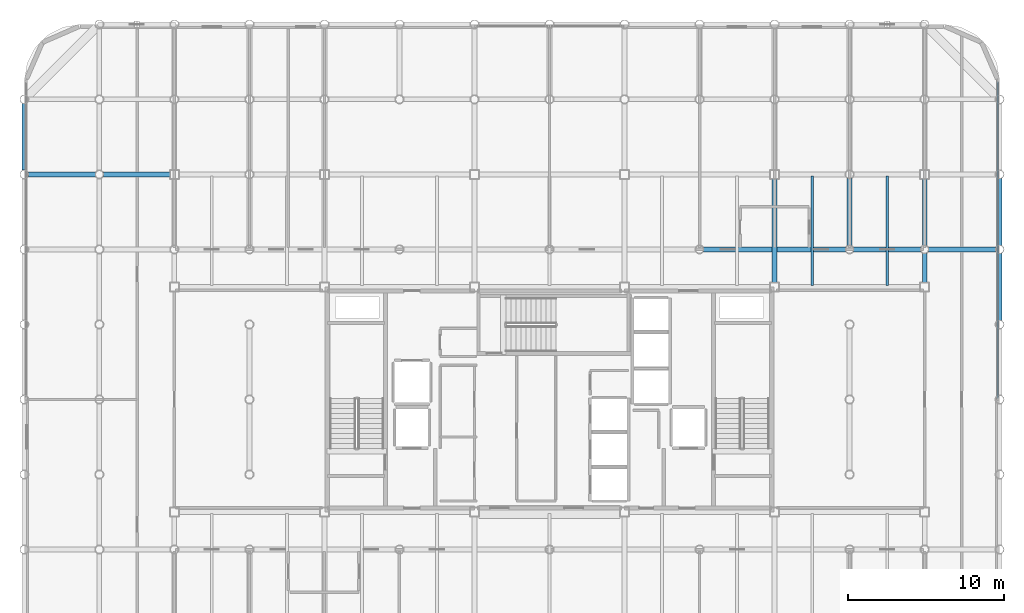
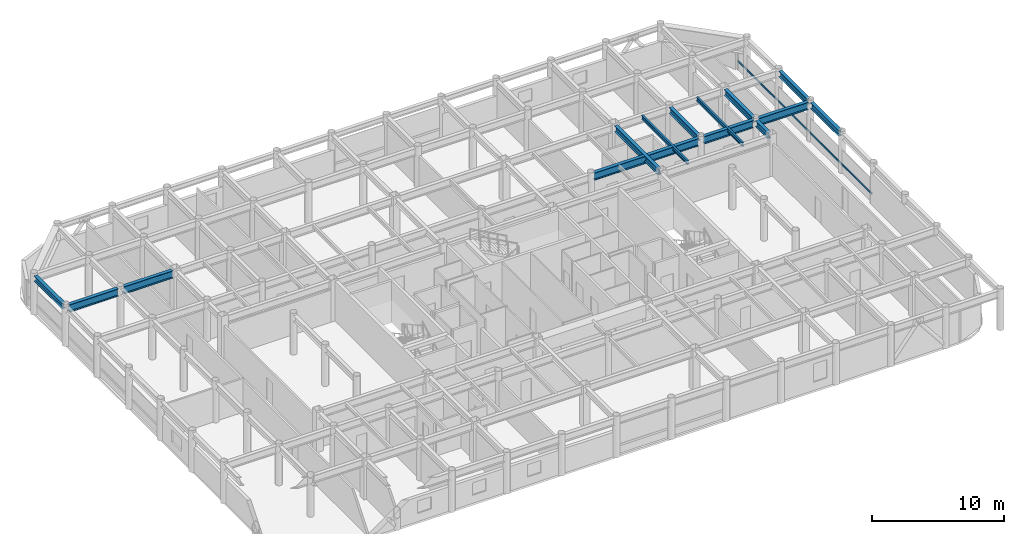
# One storey, part 11 of 22: 14 beams, 1 member, 1 element without a shape of its own.
"""IFC4 building model written with IfcOpenShell, lengths in metres."""

from ifc_helpers import new_model, si_unit, direction, frame, origin, origin_2d, place, context, subcontext, project, spatial, hollow_rectangle, i_section, extrude, material, layer, layer_set, material_profile, profile_set, type_object, element, aggregate, save


model = new_model("IFC4")

# Units and contexts
model_context = context("Model", 3, precision=1e-05, world=origin(), true_north=direction((0.0, 1.0)))
body_context = subcontext(model_context, "Body", "Model", "MODEL_VIEW")
ifc_project = project(units=[si_unit("LENGTHUNIT", "METRE"), si_unit("AREAUNIT", "SQUARE_METRE"), si_unit("VOLUMEUNIT", "CUBIC_METRE"), si_unit("PLANEANGLEUNIT", "RADIAN"), si_unit("MASSUNIT", "GRAM", prefix="KILO")], contexts=[model_context])

# Site, building, storey
site_placement = place(None, origin())
site = spatial("IfcSite", under=ifc_project, at=site_placement, CompositionType="ELEMENT")
building_placement = place(site_placement, origin())
building = spatial("IfcBuilding", under=site, at=building_placement, Name="Kallvorn Hotel Tower", CompositionType="ELEMENT")
storey_placement = place(building_placement, frame((0.0, 0.0, 260.800048828125)))
storey = spatial("IfcBuildingStorey", under=building, at=storey_placement, Name="L65", CompositionType="ELEMENT", Elevation=260.800048828125)

# Beams
ifc_material_1 = material(Name="Structural steel S355JR", Category="steel")
ifc_material_profile_1 = material_profile(ifc_material_1, i_section(OverallWidth=0.300048828125, OverallDepth=0.5, WebThickness=0.014404296875, FlangeThickness=0.028076171875, at=origin_2d()), Name="HE 500 B")
ifc_profile_set_1 = profile_set([ifc_material_profile_1], Name="Structural steel S355JR")
beam_type_1 = type_object("IfcBeamType", Name="BM_HE500B", PredefinedType="SPANDREL", material=ifc_profile_set_1)
beam_1_placement = place(storey_placement, frame((-33.60009765625, 14.66943359375, 3.419921875), z_axis=(0.0, 1.0, 0.0), x_axis=(-1.0, 0.0, 0.0)))
element("IfcBeam", 1, at=beam_1_placement, inside=storey, type_object=beam_type_1, Name="L66 Perimeter Spandrel 180", PredefinedType="SPANDREL", context=body_context, shape_type="SweptSolid", body=[
    extrude(i_section(OverallWidth=0.300048828125, OverallDepth=0.5, WebThickness=0.014404296875, FlangeThickness=0.028076171875, at=origin_2d()), origin(), (0.0, 0.0, 1.0), 4.260986328125),
])
ifc_material_2 = material(Name="Structural steel S355JR", Category="steel")
ifc_material_profile_2 = material_profile(ifc_material_2, i_section(OverallWidth=0.300048828125, OverallDepth=0.550048828125, WebThickness=0.014892578125, FlangeThickness=0.029052734375, at=origin_2d()), Name="HE 550 B")
ifc_profile_set_2 = profile_set([ifc_material_profile_2], Name="Structural steel S355JR")
beam_type_2 = type_object("IfcBeamType", Name="BM_HE550B", PredefinedType="SPANDREL", material=ifc_profile_set_2)
beam_2_placement = place(storey_placement, frame((14.39990234375, 7.47509765625, 3.39501953125), z_axis=(0.0, 1.0, 0.0), x_axis=(-1.0, 0.0, 0.0)))
element("IfcBeam", 2, at=beam_2_placement, inside=storey, type_object=beam_type_2, Name="L66 Primary Y-Girder 124", PredefinedType="SPANDREL", context=body_context, shape_type="SweptSolid", body=[
    extrude(i_section(OverallWidth=0.300048828125, OverallDepth=0.550048828125, WebThickness=0.014892578125, FlangeThickness=0.029052734375, at=origin_2d()), origin(), (0.0, 0.0, 1.0), 6.64990234375),
])
beam_3_placement = place(storey_placement, frame((19.199951171875, 9.8544921875, 3.39501953125), z_axis=(0.0, 1.0, 0.0), x_axis=(-1.0, 0.0, 0.0)))
element("IfcBeam", 3, at=beam_3_placement, inside=storey, type_object=beam_type_2, Name="L66 Primary Y-Girder 133", PredefinedType="SPANDREL", context=body_context, shape_type="SweptSolid", body=[
    extrude(i_section(OverallWidth=0.300048828125, OverallDepth=0.550048828125, WebThickness=0.014892578125, FlangeThickness=0.029052734375, at=origin_2d()), origin(), (0.0, 0.0, 1.0), 4.291015625),
])
beam_4_placement = place(storey_placement, frame((24.0, 7.47509765625, 3.39501953125), z_axis=(0.0, 1.0, 0.0), x_axis=(-1.0, 0.0, 0.0)))
element("IfcBeam", 4, at=beam_4_placement, inside=storey, type_object=beam_type_2, Name="L66 Primary Y-Girder 139", PredefinedType="SPANDREL", context=body_context, shape_type="SweptSolid", body=[
    extrude(i_section(OverallWidth=0.300048828125, OverallDepth=0.550048828125, WebThickness=0.014892578125, FlangeThickness=0.029052734375, at=origin_2d()), origin(), (0.0, 0.0, 1.0), 1.870361328125),
])
beam_5_placement = place(storey_placement, frame((24.0, 9.8544921875, 3.39501953125), z_axis=(0.0, 1.0, 0.0), x_axis=(-1.0, 0.0, 0.0)))
element("IfcBeam", 5, at=beam_5_placement, inside=storey, type_object=beam_type_2, Name="L66 Primary Y-Girder 140", PredefinedType="SPANDREL", context=body_context, shape_type="SweptSolid", body=[
    extrude(i_section(OverallWidth=0.300048828125, OverallDepth=0.550048828125, WebThickness=0.014892578125, FlangeThickness=0.029052734375, at=origin_2d()), origin(), (0.0, 0.0, 1.0), 4.2705078125),
])
for number, where, z_axis, x_axis, name in (
    (6, (28.800048828125, 5.054443359375, 3.39501953125), (0.0, 1.0, 0.0), (-1.0, 0.0, 0.0), "L66 Primary Y-Girder 148"),
    (7, (28.800048828125, 9.8544921875, 3.39501953125), (0.0, 1.0, 0.0), (-1.0, 0.0, 0.0), "L66 Primary Y-Girder 149"),
):
    element("IfcBeam", number, at=place(storey_placement, frame(where, z_axis=z_axis, x_axis=x_axis)), inside=storey, type_object=beam_type_2, Name=name, PredefinedType="SPANDREL", context=body_context, shape_type="SweptSolid", body=[
        extrude(i_section(OverallWidth=0.300048828125, OverallDepth=0.550048828125, WebThickness=0.014892578125, FlangeThickness=0.029052734375, at=origin_2d()), origin(), (0.0, 0.0, 1.0), 4.291015625),
    ])
ifc_material_3 = material(Name="Structural steel S355JR", Category="steel")
ifc_material_profile_3 = material_profile(ifc_material_3, i_section(OverallWidth=0.300048828125, OverallDepth=0.699951171875, WebThickness=0.01708984375, FlangeThickness=0.031982421875, at=origin_2d()), Name="HE 700 B")
ifc_profile_set_3 = profile_set([ifc_material_profile_3], Name="Structural steel S355JR")
beam_type_3 = type_object("IfcBeamType", Name="BM_HE700B", PredefinedType="BEAM", material=ifc_profile_set_3)
beam_6_placement = place(storey_placement, frame((9.8544921875, 9.60009765625, 3.320068359375), z_axis=(1.0, 0.0, 0.0), x_axis=(0.0, 1.0, 0.0)))
element("IfcBeam", 8, at=beam_6_placement, inside=storey, type_object=beam_type_3, Name="L66 Primary X-Girder 47", PredefinedType="BEAM", context=body_context, shape_type="SweptSolid", body=[
    extrude(i_section(OverallWidth=0.300048828125, OverallDepth=0.699951171875, WebThickness=0.01708984375, FlangeThickness=0.031982421875, at=origin_2d()), origin(), (0.0, 0.0, 1.0), 9.091064453125),
])
for number, where, z_axis, x_axis, name in (
    (9, (19.45458984375, 9.60009765625, 3.320068359375), (1.0, 0.0, 0.0), (0.0, 1.0, 0.0), "L66 Primary X-Girder 48"),
    (10, (24.25439453125, 9.60009765625, 3.320068359375), (1.0, 0.0, 0.0), (0.0, 1.0, 0.0), "L66 Primary X-Girder 49"),
    (11, (-33.345458984375, 14.39990234375, 3.320068359375), (1.0, 0.0, 0.0), (0.0, 1.0, 0.0), "L66 Primary X-Girder 50"),
):
    element("IfcBeam", number, at=place(storey_placement, frame(where, z_axis=z_axis, x_axis=x_axis)), inside=storey, type_object=beam_type_3, Name=name, PredefinedType="BEAM", context=body_context, shape_type="SweptSolid", body=[
        extrude(i_section(OverallWidth=0.300048828125, OverallDepth=0.699951171875, WebThickness=0.01708984375, FlangeThickness=0.031982421875, at=origin_2d()), origin(), (0.0, 0.0, 1.0), 4.291015625),
    ])
beam_7_placement = place(storey_placement, frame((-28.54541015625, 14.39990234375, 3.320068359375), z_axis=(1.0, 0.0, 0.0), x_axis=(0.0, 1.0, 0.0)))
element("IfcBeam", 12, at=beam_7_placement, inside=storey, type_object=beam_type_3, Name="L66 Primary X-Girder 51", PredefinedType="BEAM", context=body_context, shape_type="SweptSolid", body=[
    extrude(i_section(OverallWidth=0.300048828125, OverallDepth=0.699951171875, WebThickness=0.01708984375, FlangeThickness=0.031982421875, at=origin_2d()), origin(), (0.0, 0.0, 1.0), 4.2705078125),
])
ifc_material_4 = material(Name="Structural steel S355JR", Category="steel")
ifc_material_profile_4 = material_profile(ifc_material_4, i_section(OverallWidth=0.169921875, OverallDepth=0.360107421875, WebThickness=0.008056640625, FlangeThickness=0.0126953125, at=origin_2d()), Name="IPE 360")
ifc_profile_set_4 = profile_set([ifc_material_profile_4], Name="Structural steel S355JR")
beam_type_4 = type_object("IfcBeamType", Name="BM_IPE360", PredefinedType="JOIST", material=ifc_profile_set_4)
for number, where, z_axis, x_axis, name in (
    (13, (16.800048828125, 7.300048828125, 3.489990234375), (0.0, 1.0, 0.0), (-1.0, 0.0, 0.0), "L66 Secondary Composite Joist 207"),
    (14, (21.60009765625, 7.300048828125, 3.489990234375), (0.0, 1.0, 0.0), (-1.0, 0.0, 0.0), "L66 Secondary Composite Joist 209"),
):
    element("IfcBeam", number, at=place(storey_placement, frame(where, z_axis=z_axis, x_axis=x_axis)), inside=storey, type_object=beam_type_4, Name=name, PredefinedType="JOIST", context=body_context, shape_type="SweptSolid", body=[
        extrude(i_section(OverallWidth=0.169921875, OverallDepth=0.360107421875, WebThickness=0.008056640625, FlangeThickness=0.0126953125, at=origin_2d()), origin(), (0.0, 0.0, 1.0), 7.0),
    ])

# Curtain wall, member
ifc_material_5 = material(Name="Thermally broken black-anodised aluminium AA 6063-T6", Category="aluminium")
ifc_layer = layer(ifc_material_5, 0.22998046875)
ifc_layer_set = layer_set([ifc_layer], Name="CW_SYS_5_HOTEL_HIGH")
curtain_wall_type = type_object("IfcCurtainWallType", Name="CW_SYS_5_HOTEL_HIGH", PredefinedType="USERDEFINED", material=ifc_layer_set)
curtain_wall_placement = place(storey_placement, origin())
curtain_wall = element("IfcCurtainWall", 15, at=curtain_wall_placement, inside=storey, type_object=curtain_wall_type, Name="L65 Dark-Glass Curtain Wall CW-L65-EN", ObjectType="UNITISED CURTAIN WALL", PredefinedType="USERDEFINED")
ifc_material_6 = material(Name="Thermally broken black-anodised aluminium AA 6063-T6", Category="aluminium")
ifc_material_profile_5 = material_profile(ifc_material_6, hollow_rectangle(XDim=0.070068359375, YDim=0.179931640625, WallThickness=0.00390625, at=origin_2d()), Name="TRN 180x70")
ifc_profile_set_5 = profile_set([ifc_material_profile_5], Name="Thermally broken black-anodised aluminium AA 6063-T6")
member_type = type_object("IfcMemberType", Name="CW_TRANSOM_180x70", PredefinedType="USERDEFINED", material=ifc_profile_set_5)
member_placement = place(storey_placement, frame((28.679931640625, 0.06005859375, 0.849853515625), z_axis=(0.0, 1.0, 0.0), x_axis=(-1.0, 0.0, 0.0)))
member = element("IfcMember", 16, at=member_placement, type_object=member_type, Name="CW-L65-EN Transom 00M", ObjectType="TRANSOM", PredefinedType="USERDEFINED", context=body_context, shape_type="SweptSolid", body=[
    extrude(hollow_rectangle(XDim=0.070068359375, YDim=0.179931640625, WallThickness=0.00390625, at=origin_2d()), origin(), (0.0, 0.0, 1.0), 20.300048828125),
])
aggregate(curtain_wall, [member])

save(model, "model.ifc")
